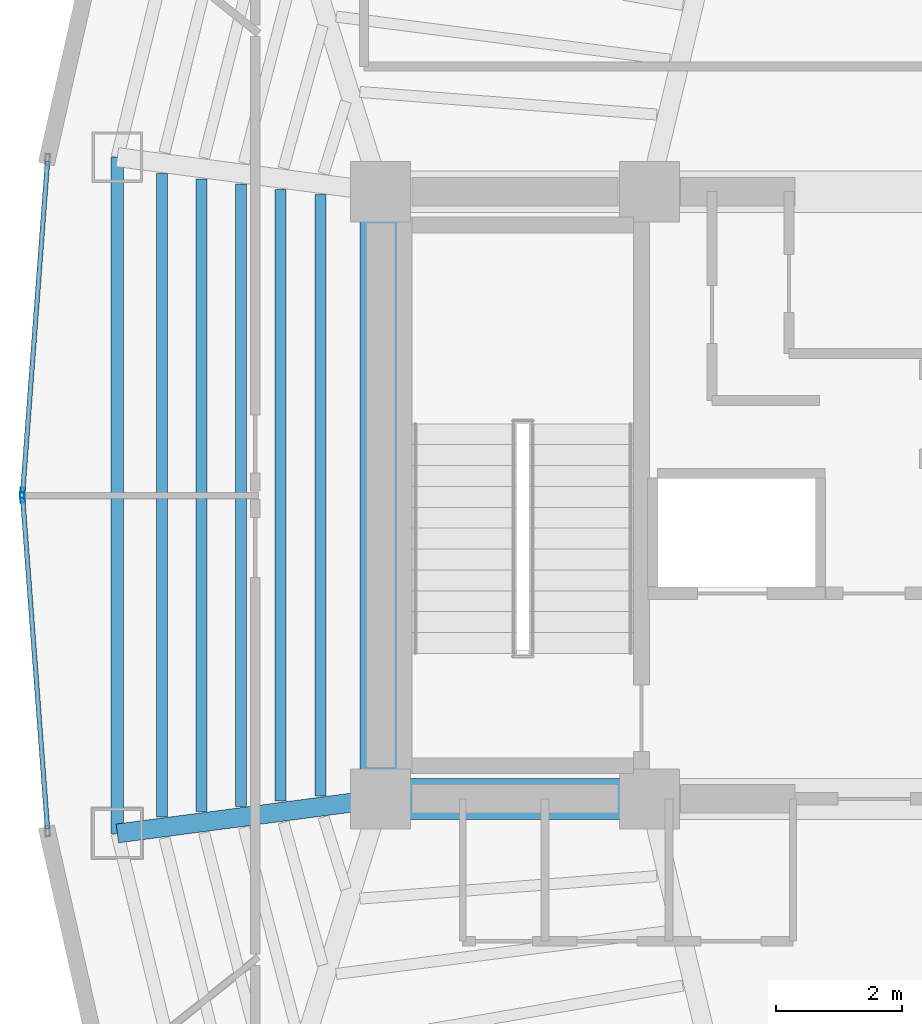
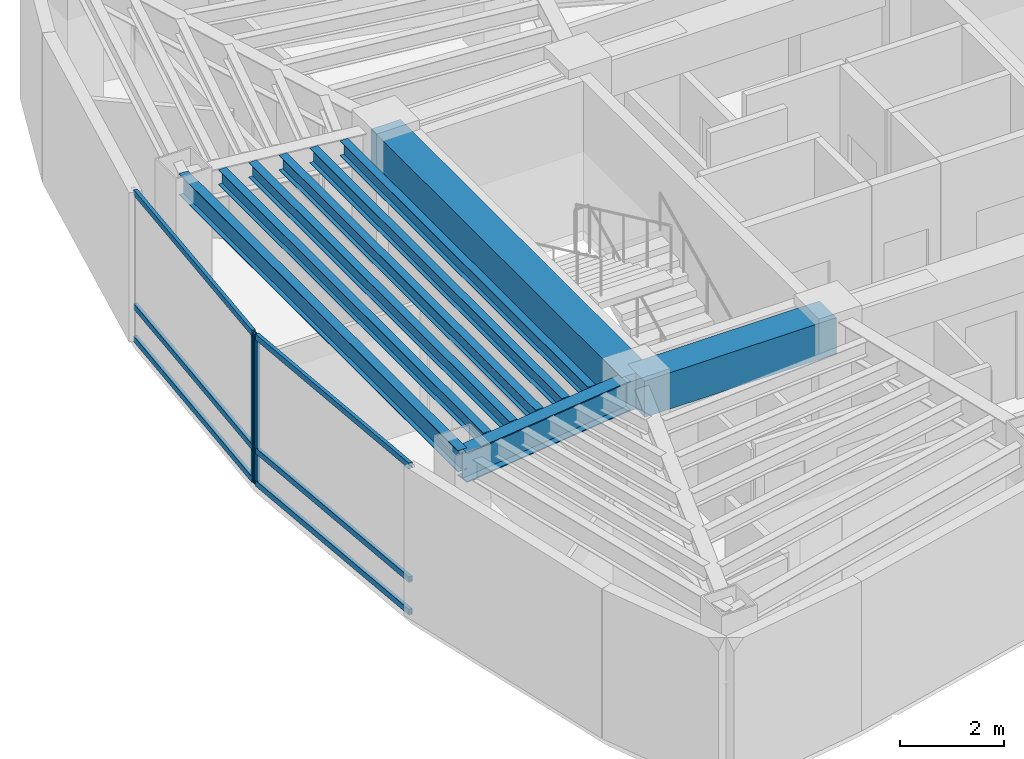
# One storey, part 4 of 15: 9 beams, 8 members, 2 elements without a shape of their own.
"""IFC4 building model written with IfcOpenShell, lengths in metres."""

import ifcopenshell
import ifcopenshell.guid

model = None  # the IFC model being written
_history = None  # IfcOwnerHistory: only IFC2X3 demands one
_inside = {}  # id of a spatial element -> (the spatial element, [elements in it])
_under = {}  # id of a project, library or spatial element -> (it, [spatial elements below it])
_declared = {}  # id of a project -> (the project, [libraries it declares])
_typed = {}  # id of a type object -> (the type object, [elements of that type])
_made_of = {}  # id of a material, layer set ... -> (it, [elements and type objects made of it])


def new_model(schema):
    """Start an empty IFC model of exactly this schema.

    Asked for "IFC4X3", IfcOpenShell would pick the latest addendum, in which some entities
    have other attributes; the version numbers below select the first issue.
    IFC2X3 requires an IfcOwnerHistory on every rooted entity: one is made here for all.
    """
    global model, _history
    if schema == "IFC4X3":
        model = ifcopenshell.file(schema_version=(4, 3, 0, 0))
    else:
        model = ifcopenshell.file(schema=schema)
    _inside.clear()
    _under.clear()
    _declared.clear()
    _typed.clear()
    _made_of.clear()
    _history = None
    if model.schema == "IFC2X3":
        org = make("IfcOrganization", Name="unknown")
        user = make(
            "IfcPersonAndOrganization",
            ThePerson=make("IfcPerson", FamilyName="unknown"),
            TheOrganization=org,
        )
        app = make(
            "IfcApplication",
            ApplicationDeveloper=org,
            Version="unknown",
            ApplicationFullName="unknown",
            ApplicationIdentifier="unknown",
        )
        _history = make(
            "IfcOwnerHistory",
            OwningUser=user,
            OwningApplication=app,
            ChangeAction="ADDED",
            CreationDate=0,
        )
    return model


def make(cls, **values):
    """One entity of the class cls with the attributes given. An attribute that is None is left unset."""
    return model.create_entity(
        cls, **{name: value for name, value in values.items() if value is not None}
    )


def rooted(cls, **values):
    """An entity with a GlobalId (a new one), such as an element, a storey or a relation."""
    return make(cls, GlobalId=ifcopenshell.guid.new(), OwnerHistory=_history, **values)


def si_unit(unit_type, name, prefix=None):
    """IfcSIUnit, for example si_unit("LENGTHUNIT", "METRE", prefix="MILLI")."""
    return make("IfcSIUnit", UnitType=unit_type, Prefix=prefix, Name=name)


def assignment(units):
    """IfcUnitAssignment: the units of a project."""
    return None if units is None else make("IfcUnitAssignment", Units=units)


def point(xyz):
    """IfcCartesianPoint."""
    return None if xyz is None else make("IfcCartesianPoint", Coordinates=xyz)


def direction(xyz):
    """IfcDirection."""
    return None if xyz is None else make("IfcDirection", DirectionRatios=xyz)


def frame(location, z_axis=None, x_axis=None):
    """IfcAxis2Placement3D, a coordinate frame: its origin and axes. An axis left out is left unset."""
    return make(
        "IfcAxis2Placement3D",
        Location=point(location),
        Axis=direction(z_axis),
        RefDirection=direction(x_axis),
    )


def frame_2d(location, x_axis=None):
    """IfcAxis2Placement2D, a coordinate frame in the plane: its origin and x axis."""
    return make(
        "IfcAxis2Placement2D", Location=point(location), RefDirection=direction(x_axis)
    )


def origin():
    """The frame at (0, 0, 0) with its axes left unset."""
    return frame((0.0, 0.0, 0.0))


def origin_2d():
    """The frame at (0, 0) in the plane with its x axis left unset."""
    return frame_2d((0.0, 0.0))


def place(relative_to, where):
    """IfcLocalPlacement: puts the frame where relative to a parent placement (None: the world)."""
    return make(
        "IfcLocalPlacement", PlacementRelTo=relative_to, RelativePlacement=where
    )


def context(
    kind, dimensions, precision=None, world=None, true_north=None, identifier=None
):
    """IfcGeometricRepresentationContext, for example the 3D "Model" context."""
    return make(
        "IfcGeometricRepresentationContext",
        ContextIdentifier=identifier,
        ContextType=kind,
        CoordinateSpaceDimension=dimensions,
        Precision=precision,
        WorldCoordinateSystem=world,
        TrueNorth=true_north,
    )


def subcontext(parent, identifier, kind, view, scale=None):
    """IfcGeometricRepresentationSubContext, for example "Body" below "Model"."""
    return make(
        "IfcGeometricRepresentationSubContext",
        ContextIdentifier=identifier,
        ContextType=kind,
        ParentContext=parent,
        TargetScale=scale,
        TargetView=view,
    )


def project(units=None, contexts=None):
    """IfcProject with its units and contexts."""
    return rooted(
        "IfcProject",
        Name="project",
        RepresentationContexts=contexts,
        UnitsInContext=assignment(units),
    )


def spatial(cls, under=None, at=None, **own):
    """A site, building, storey or space (cls), placed at a placement, below another one or the project."""
    s = rooted(cls, ObjectPlacement=at, **own)
    if under is not None:
        _under.setdefault(under.id(), (under, []))[1].append(s)
    return s


def profile(cls, at=None, kind="AREA", **sizes):
    """A parametric profile (cls). Its sizes go by their IFC names, for example OverallWidth=200.0."""
    return make(cls, ProfileType=kind, Position=at, **sizes)


def rectangle(**sizes):
    """IfcRectangleProfileDef."""
    return profile("IfcRectangleProfileDef", **sizes)


def hollow_rectangle(**sizes):
    """IfcRectangleHollowProfileDef."""
    return profile("IfcRectangleHollowProfileDef", **sizes)


def i_section(**sizes):
    """IfcIShapeProfileDef."""
    return profile("IfcIShapeProfileDef", **sizes)


def extrude(swept, where, along, depth):
    """IfcExtrudedAreaSolid: the profile swept, set in the frame where, extruded along a direction by depth."""
    return make(
        "IfcExtrudedAreaSolid",
        SweptArea=swept,
        Position=where,
        ExtrudedDirection=direction(along),
        Depth=depth,
    )


def shape(context_of_items, identifier, shape_type, items):
    """IfcShapeRepresentation: the items that make up one representation, for example the "Body"."""
    return make(
        "IfcShapeRepresentation",
        ContextOfItems=context_of_items,
        RepresentationIdentifier=identifier,
        RepresentationType=shape_type,
        Items=items,
    )


def material(Name=None, Category=None):
    """IfcMaterial."""
    return make("IfcMaterial", Name=Name, Category=Category)


def layer(
    of_material, thickness, ventilated=None, Name=None, Category=None, Priority=None
):
    """IfcMaterialLayer: one layer of a wall or slab, of a material (None: an air gap)."""
    return make(
        "IfcMaterialLayer",
        Material=of_material,
        LayerThickness=thickness,
        IsVentilated=ventilated,
        Name=Name,
        Category=Category,
        Priority=Priority,
    )


def layer_set(layers, Name=None):
    """IfcMaterialLayerSet."""
    return make("IfcMaterialLayerSet", MaterialLayers=layers, LayerSetName=Name)


def material_profile(
    of_material, cross_section, Name=None, Category=None, Priority=None
):
    """IfcMaterialProfile: a cross section and its material."""
    return make(
        "IfcMaterialProfile",
        Name=Name,
        Material=of_material,
        Profile=cross_section,
        Priority=Priority,
        Category=Category,
    )


def profile_set(profiles, Name=None, composite=None):
    """IfcMaterialProfileSet."""
    return make(
        "IfcMaterialProfileSet",
        Name=Name,
        MaterialProfiles=profiles,
        CompositeProfile=composite,
    )


def made_of(thing, what):
    """Note that an element or type object is made of a material, layer set ...; save() writes the relation."""
    if what is not None:
        _made_of.setdefault(what.id(), (what, []))[1].append(thing)
    return thing


def type_object(cls, material=None, **own):
    """A type object (cls), such as IfcWallType, which elements share."""
    return made_of(rooted(cls, **own), material)


def element(
    cls,
    number,
    at=None,
    inside=None,
    cuts=None,
    type_object=None,
    material=None,
    context=None,
    identifier="Body",
    shape_type=None,
    held_by="IfcProductDefinitionShape",
    body=None,
    shapes=None,
    **own,
):
    """One element of the class cls, such as IfcWall. Its Tag is "e" and its number.

    at: its placement. inside: the storey or other place that contains it. cuts: it is an
    opening in that element (IfcRelVoidsElement). A single representation is given by context,
    identifier, shape_type and body (its items); several are given by shapes. held_by: the class
    of the entity that holds the representations. save() writes the other relations.
    """
    e = rooted(cls, Tag="e%d" % number, ObjectPlacement=at, **own)
    if body is not None:
        shapes = [shape(context, identifier, shape_type, body)]
    if shapes is not None:
        e.Representation = make(held_by, Representations=shapes)
    if inside is not None:
        _inside.setdefault(inside.id(), (inside, []))[1].append(e)
    if cuts is not None:
        rooted(
            "IfcRelVoidsElement", RelatingBuildingElement=cuts, RelatedOpeningElement=e
        )
    if type_object is not None:
        _typed.setdefault(type_object.id(), (type_object, []))[1].append(e)
    return made_of(e, material)


def aggregate(whole, parts):
    """IfcRelAggregates: a whole, such as a stair, and the parts it consists of."""
    return rooted("IfcRelAggregates", RelatingObject=whole, RelatedObjects=parts)


def save(model, path):
    """Write the relations noted so far, then the file.

    IfcRelAggregates (storeys below a building ...), IfcRelContainedInSpatialStructure (elements
    in a storey), IfcRelDefinesByType, IfcRelAssociatesMaterial and IfcRelDeclares: one each for
    every whole, place, type object, material and project.
    """
    for whole, parts in _under.values():
        aggregate(whole, parts)
    for where, things in _inside.values():
        rooted(
            "IfcRelContainedInSpatialStructure",
            RelatedElements=things,
            RelatingStructure=where,
        )
    for kind, things in _typed.values():
        rooted("IfcRelDefinesByType", RelatedObjects=things, RelatingType=kind)
    for what, things in _made_of.values():
        rooted("IfcRelAssociatesMaterial", RelatedObjects=things, RelatingMaterial=what)
    for by, libraries in _declared.values():
        rooted("IfcRelDeclares", RelatingContext=by, RelatedDefinitions=libraries)
    model.write(path)


model = new_model("IFC4")

# Units and contexts
model_context = context("Model", 3, precision=1e-05, world=origin(), true_north=direction((0.0, 1.0)))
body_context = subcontext(model_context, "Body", "Model", "MODEL_VIEW")
ifc_project = project(units=[si_unit("LENGTHUNIT", "METRE"), si_unit("AREAUNIT", "SQUARE_METRE"), si_unit("VOLUMEUNIT", "CUBIC_METRE"), si_unit("PLANEANGLEUNIT", "RADIAN"), si_unit("MASSUNIT", "GRAM", prefix="KILO")], contexts=[model_context])

# Site, building, storey
site_placement = place(None, origin())
site = spatial("IfcSite", under=ifc_project, at=site_placement, CompositionType="ELEMENT")
building_placement = place(site_placement, origin())
building = spatial("IfcBuilding", under=site, at=building_placement, Name="Menara Vayukalpa", CompositionType="ELEMENT")
storey_placement = place(building_placement, frame((0.0, 0.0, 262.02001953125)))
storey = spatial("IfcBuildingStorey", under=building, at=storey_placement, Name="L66", CompositionType="ELEMENT", Elevation=262.02001953125)

# Beams
ifc_material_1 = material(Name="Concrete C60/75", Category="concrete")
ifc_material_profile_1 = material_profile(ifc_material_1, rectangle(XDim=0.64990234375, YDim=0.85009765625, at=origin_2d()), Name="RC 650x850")
ifc_profile_set_1 = profile_set([ifc_material_profile_1], Name="Concrete C60/75")
beam_type_1 = type_object("IfcBeamType", Name="BM-CB1", PredefinedType="BEAM", material=ifc_profile_set_1)
beam_1_placement = place(storey_placement, frame((17.800048828125, 17.199951171875, 3.074951171875), z_axis=(1.0, 0.0, 0.0), x_axis=(0.0, 1.0, 0.0)))
element("IfcBeam", 1, at=beam_1_placement, inside=storey, type_object=beam_type_1, Name="L66 Core Tie Beam CBR1", PredefinedType="BEAM", context=body_context, shape_type="SweptSolid", body=[
    extrude(rectangle(XDim=0.64990234375, YDim=0.85009765625, at=origin_2d()), origin(), (0.0, 0.0, 1.0), 4.25),
])
beam_2_placement = place(storey_placement, frame((17.800048828125, 17.199951171875, 3.074951171875), z_axis=(0.0, 1.0, 0.0), x_axis=(-1.0, 0.0, 0.0)))
element("IfcBeam", 2, at=beam_2_placement, inside=storey, type_object=beam_type_1, Name="L66 Core Tie Beam CBR7", PredefinedType="BEAM", context=body_context, shape_type="SweptSolid", body=[
    extrude(rectangle(XDim=0.64990234375, YDim=0.85009765625, at=origin_2d()), origin(), (0.0, 0.0, 1.0), 9.60009765625),
])
ifc_material_2 = material(Name="Steel S355", Category="steel")
ifc_material_profile_2 = material_profile(ifc_material_2, i_section(OverallWidth=0.300048828125, OverallDepth=0.699951171875, WebThickness=0.012939453125, FlangeThickness=0.02392578125, at=origin_2d()), Name="WF 700x300x13x24")
ifc_profile_set_2 = profile_set([ifc_material_profile_2], Name="Steel S355")
beam_type_2 = type_object("IfcBeamType", Name="BM-PG5", PredefinedType="BEAM", material=ifc_profile_set_2)
beam_3_placement = place(storey_placement, frame((17.552001953125, 17.16748046875, 3.14990234375), z_axis=(-0.991477860763, -0.130275291662, 0.0), x_axis=(0.130275291662, -0.991477860763, 0.0)))
element("IfcBeam", 3, at=beam_3_placement, inside=storey, type_object=beam_type_2, Name="L66 Primary Radial Girder RG06", PredefinedType="BEAM", context=body_context, shape_type="SweptSolid", body=[
    extrude(i_section(OverallWidth=0.300048828125, OverallDepth=0.699951171875, WebThickness=0.012939453125, FlangeThickness=0.02392578125, at=origin_2d()), origin(), (0.0, 0.0, 1.0), 3.94677734375),
])
ifc_material_3 = material(Name="Steel S355", Category="steel")
ifc_material_profile_3 = material_profile(ifc_material_3, i_section(OverallWidth=0.175048828125, OverallDepth=0.35009765625, WebThickness=0.007080078125, FlangeThickness=0.010986328125, at=origin_2d()), Name="WF 350x175x7x11")
ifc_profile_set_3 = profile_set([ifc_material_profile_3], Name="Steel S355")
beam_type_3 = type_object("IfcBeamType", Name="BM-SJ3", PredefinedType="JOIST", material=ifc_profile_set_3)
beam_4_placement = place(storey_placement, frame((16.84765625, 26.755126953125, 3.324951171875), z_axis=(0.0, -1.0, 0.0), x_axis=(1.0, 0.0, 0.0)))
element("IfcBeam", 4, at=beam_4_placement, inside=storey, type_object=beam_type_3, Name="L66 Secondary Floor Joist SJ05-1", PredefinedType="JOIST", context=body_context, shape_type="SweptSolid", body=[
    extrude(i_section(OverallWidth=0.175048828125, OverallDepth=0.35009765625, WebThickness=0.007080078125, FlangeThickness=0.010986328125, at=origin_2d()), origin(), (0.0, 0.0, 1.0), 9.51025390625),
])
beam_5_placement = place(storey_placement, frame((16.2216796875, 26.83740234375, 3.324951171875), z_axis=(0.0, -1.0, 0.0), x_axis=(1.0, 0.0, 0.0)))
element("IfcBeam", 5, at=beam_5_placement, inside=storey, type_object=beam_type_3, Name="L66 Secondary Floor Joist SJ05-2", PredefinedType="JOIST", context=body_context, shape_type="SweptSolid", body=[
    extrude(i_section(OverallWidth=0.175048828125, OverallDepth=0.35009765625, WebThickness=0.007080078125, FlangeThickness=0.010986328125, at=origin_2d()), origin(), (0.0, 0.0, 1.0), 9.6748046875),
])
beam_6_placement = place(storey_placement, frame((15.595458984375, 26.919677734375, 3.324951171875), z_axis=(0.0, -1.0, 0.0), x_axis=(1.0, 0.0, 0.0)))
element("IfcBeam", 6, at=beam_6_placement, inside=storey, type_object=beam_type_3, Name="L66 Secondary Floor Joist SJ05-3", PredefinedType="JOIST", context=body_context, shape_type="SweptSolid", body=[
    extrude(i_section(OverallWidth=0.175048828125, OverallDepth=0.35009765625, WebThickness=0.007080078125, FlangeThickness=0.010986328125, at=origin_2d()), origin(), (0.0, 0.0, 1.0), 9.83935546875),
])
beam_7_placement = place(storey_placement, frame((14.969482421875, 27.001953125, 3.324951171875), z_axis=(0.0, -1.0, 0.0), x_axis=(1.0, 0.0, 0.0)))
element("IfcBeam", 7, at=beam_7_placement, inside=storey, type_object=beam_type_3, Name="L66 Secondary Floor Joist SJ05-4", PredefinedType="JOIST", context=body_context, shape_type="SweptSolid", body=[
    extrude(i_section(OverallWidth=0.175048828125, OverallDepth=0.35009765625, WebThickness=0.007080078125, FlangeThickness=0.010986328125, at=origin_2d()), origin(), (0.0, 0.0, 1.0), 10.00390625),
])
beam_8_placement = place(storey_placement, frame((14.343505859375, 27.084228515625, 3.324951171875), z_axis=(0.0, -1.0, 0.0), x_axis=(1.0, 0.0, 0.0)))
element("IfcBeam", 8, at=beam_8_placement, inside=storey, type_object=beam_type_3, Name="L66 Secondary Floor Joist SJ05-5", PredefinedType="JOIST", context=body_context, shape_type="SweptSolid", body=[
    extrude(i_section(OverallWidth=0.175048828125, OverallDepth=0.35009765625, WebThickness=0.007080078125, FlangeThickness=0.010986328125, at=origin_2d()), origin(), (0.0, 0.0, 1.0), 10.16845703125),
])
ifc_material_4 = material(Name="Steel S355", Category="steel")
ifc_material_profile_4 = material_profile(ifc_material_4, i_section(OverallWidth=0.199951171875, OverallDepth=0.5, WebThickness=0.010009765625, FlangeThickness=0.01611328125, at=origin_2d()), Name="WF 500x200x10x16")
ifc_profile_set_4 = profile_set([ifc_material_profile_4], Name="Steel S355")
beam_type_4 = type_object("IfcBeamType", Name="BM-SP3", PredefinedType="SPANDREL", material=ifc_profile_set_4)
beam_9_placement = place(storey_placement, frame((13.638916015625, 27.3466796875, 3.25), z_axis=(0.0, -1.0, 0.0), x_axis=(1.0, 0.0, 0.0)))
element("IfcBeam", 9, at=beam_9_placement, inside=storey, type_object=beam_type_4, Name="L66 Perimeter Spandrel Beam SP05", PredefinedType="SPANDREL", context=body_context, shape_type="SweptSolid", body=[
    extrude(i_section(OverallWidth=0.199951171875, OverallDepth=0.5, WebThickness=0.010009765625, FlangeThickness=0.01611328125, at=origin_2d()), origin(), (0.0, 0.0, 1.0), 10.693359375),
])

# Curtain wall, member
ifc_material_5 = material(Name="Anodised Terracotta Aluminium Alloy 6063-T6", Category="masonry")
ifc_layer = layer(ifc_material_5, 0.1650390625)
ifc_layer_set = layer_set([ifc_layer], Name="Anodised Terracotta Aluminium Alloy 6063-T6")
curtain_wall_type = type_object("IfcCurtainWallType", Name="CW-CW6", PredefinedType="USERDEFINED", material=ifc_layer_set)
curtain_wall_1_placement = place(storey_placement, origin())
curtain_wall_1 = element("IfcCurtainWall", 10, at=curtain_wall_1_placement, inside=storey, type_object=curtain_wall_type, Name="L66 Observation and Executive Curtain Wall CW6 10", ObjectType="UNITISED", PredefinedType="USERDEFINED")
ifc_material_6 = material(Name="Anodised Terracotta Aluminium Alloy 6063-T6", Category="masonry")
ifc_material_profile_5 = material_profile(ifc_material_6, hollow_rectangle(XDim=0.070068359375, YDim=0.1650390625, WallThickness=0.00390625, at=origin_2d()), Name="ALU 70x165x4")
ifc_profile_set_5 = profile_set([ifc_material_profile_5], Name="Anodised Terracotta Aluminium Alloy 6063-T6")
member_type_1 = type_object("IfcMemberType", Name="CWM-CW6", PredefinedType="MULLION", material=ifc_profile_set_5)
member_1_placement = place(storey_placement, frame((12.140625, 22.034912109375, 0.0), z_axis=(0.0, 0.0, 1.0), x_axis=(0.997199344663, -0.074789484574, 0.0)))
member_1 = element("IfcMember", 11, at=member_1_placement, type_object=member_type_1, Name="CW6 mullion 2", PredefinedType="MULLION", context=body_context, shape_type="SweptSolid", body=[
    extrude(hollow_rectangle(XDim=0.070068359375, YDim=0.1650390625, WallThickness=0.00390625, at=origin_2d()), origin(), (0.0, 0.0, 1.0), 3.5),
])

curtain_wall_2_placement = place(storey_placement, origin())
curtain_wall_2 = element("IfcCurtainWall", 12, at=curtain_wall_2_placement, inside=storey, type_object=curtain_wall_type, Name="L66 Observation and Executive Curtain Wall CW6 11", ObjectType="UNITISED", PredefinedType="USERDEFINED")
member_2_placement = place(storey_placement, frame((12.140625, 21.965087890625, 0.0), z_axis=(0.0, 0.0, 1.0), x_axis=(0.997199344663, 0.074789484574, 0.0)))
member_2 = element("IfcMember", 13, at=member_2_placement, type_object=member_type_1, Name="CW6 mullion 1", PredefinedType="MULLION", context=body_context, shape_type="SweptSolid", body=[
    extrude(hollow_rectangle(XDim=0.070068359375, YDim=0.1650390625, WallThickness=0.00390625, at=origin_2d()), origin(), (0.0, 0.0, 1.0), 3.5),
])

# Member
ifc_material_7 = material(Name="Anodised Terracotta Aluminium Alloy 6063-T6", Category="masonry")
ifc_material_profile_6 = material_profile(ifc_material_7, hollow_rectangle(XDim=0.074951171875, YDim=0.135009765625, WallThickness=0.00390625, at=origin_2d()), Name="ALU 75x135x4")
ifc_profile_set_6 = profile_set([ifc_material_profile_6], Name="Anodised Terracotta Aluminium Alloy 6063-T6")
member_type_2 = type_object("IfcMemberType", Name="CWT-CW6", PredefinedType="USERDEFINED", material=ifc_profile_set_6)
member_3_placement = place(storey_placement, frame((12.53369140625, 27.27685546875, 0.03759765625), z_axis=(-0.074762051827, -0.997201401727, 0.0), x_axis=(0.997201401727, -0.074762051827, 0.0)))
member_3 = element("IfcMember", 14, at=member_3_placement, type_object=member_type_2, Name="CW6 transom 1.1", ObjectType="TRANSOM", PredefinedType="USERDEFINED", context=body_context, shape_type="SweptSolid", body=[
    extrude(hollow_rectangle(XDim=0.074951171875, YDim=0.135009765625, WallThickness=0.00390625, at=origin_2d()), origin(), (0.0, 0.0, 1.0), 5.2216796875),
])

member_4_placement = place(storey_placement, frame((12.53369140625, 27.27685546875, 0.800048828125), z_axis=(-0.074762051827, -0.997201401727, 0.0), x_axis=(0.997201401727, -0.074762051827, 0.0)))
member_4 = element("IfcMember", 15, at=member_4_placement, type_object=member_type_2, Name="CW6 transom 1.2", ObjectType="TRANSOM", PredefinedType="USERDEFINED", context=body_context, shape_type="SweptSolid", body=[
    extrude(hollow_rectangle(XDim=0.074951171875, YDim=0.135009765625, WallThickness=0.00390625, at=origin_2d()), origin(), (0.0, 0.0, 1.0), 5.2216796875),
])

member_5_placement = place(storey_placement, frame((12.53369140625, 27.27685546875, 3.46240234375), z_axis=(-0.074762051827, -0.997201401727, 0.0), x_axis=(0.997201401727, -0.074762051827, 0.0)))
member_5 = element("IfcMember", 16, at=member_5_placement, type_object=member_type_2, Name="CW6 transom 1.3", ObjectType="TRANSOM", PredefinedType="USERDEFINED", context=body_context, shape_type="SweptSolid", body=[
    extrude(hollow_rectangle(XDim=0.074951171875, YDim=0.135009765625, WallThickness=0.00390625, at=origin_2d()), origin(), (0.0, 0.0, 1.0), 5.2216796875),
])

aggregate(curtain_wall_1, [member_1, member_3, member_4, member_5])

member_6_placement = place(storey_placement, frame((12.143310546875, 21.93017578125, 0.03759765625), z_axis=(0.074762051827, -0.997201401727, 0.0), x_axis=(0.997201401727, 0.074762051827, 0.0)))
member_6 = element("IfcMember", 17, at=member_6_placement, type_object=member_type_2, Name="CW6 transom 1.1", ObjectType="TRANSOM", PredefinedType="USERDEFINED", context=body_context, shape_type="SweptSolid", body=[
    extrude(hollow_rectangle(XDim=0.074951171875, YDim=0.135009765625, WallThickness=0.00390625, at=origin_2d()), origin(), (0.0, 0.0, 1.0), 5.2216796875),
])

member_7_placement = place(storey_placement, frame((12.143310546875, 21.93017578125, 0.800048828125), z_axis=(0.074762051827, -0.997201401727, 0.0), x_axis=(0.997201401727, 0.074762051827, 0.0)))
member_7 = element("IfcMember", 18, at=member_7_placement, type_object=member_type_2, Name="CW6 transom 1.2", ObjectType="TRANSOM", PredefinedType="USERDEFINED", context=body_context, shape_type="SweptSolid", body=[
    extrude(hollow_rectangle(XDim=0.074951171875, YDim=0.135009765625, WallThickness=0.00390625, at=origin_2d()), origin(), (0.0, 0.0, 1.0), 5.2216796875),
])

member_8_placement = place(storey_placement, frame((12.143310546875, 21.93017578125, 3.46240234375), z_axis=(0.074762051827, -0.997201401727, 0.0), x_axis=(0.997201401727, 0.074762051827, 0.0)))
member_8 = element("IfcMember", 19, at=member_8_placement, type_object=member_type_2, Name="CW6 transom 1.3", ObjectType="TRANSOM", PredefinedType="USERDEFINED", context=body_context, shape_type="SweptSolid", body=[
    extrude(hollow_rectangle(XDim=0.074951171875, YDim=0.135009765625, WallThickness=0.00390625, at=origin_2d()), origin(), (0.0, 0.0, 1.0), 5.2216796875),
])

aggregate(curtain_wall_2, [member_2, member_6, member_7, member_8])

save(model, "model.ifc")
